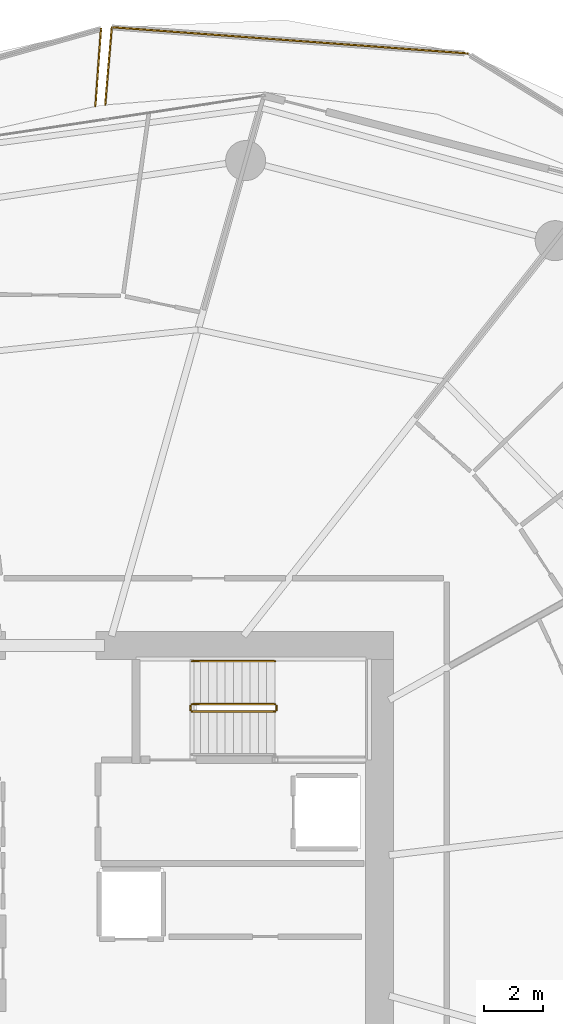
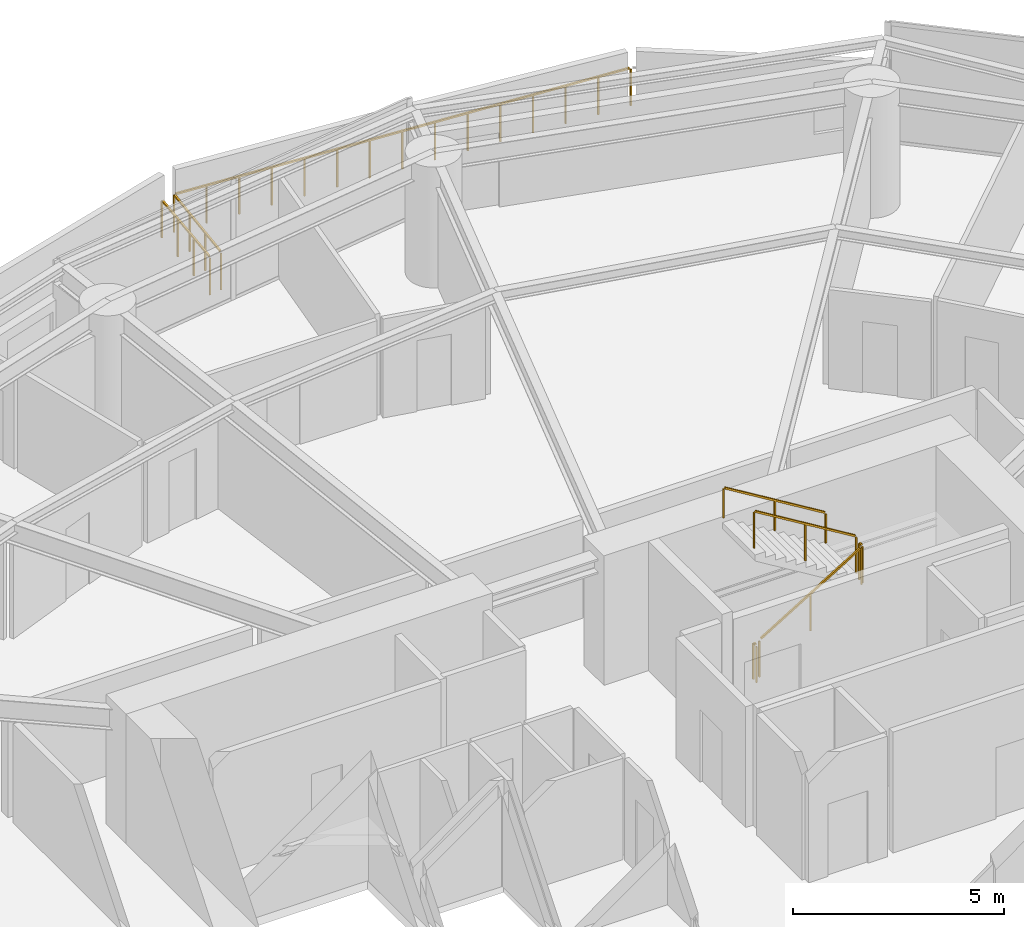
# One storey, part 31 of 32: 8 railings.
"""IFC4 building model written with IfcOpenShell, lengths in metres."""

from ifc_helpers import new_model, si_unit, direction, frame, origin, origin_2d, place, context, subcontext, project, spatial, rectangle, extrude, material, type_object, element, save


model = new_model("IFC4")

# Units and contexts
model_context = context("Model", 3, precision=1e-05, world=origin(), true_north=direction((0.0, 1.0)))
body_context = subcontext(model_context, "Body", "Model", "MODEL_VIEW")
ifc_project = project(units=[si_unit("LENGTHUNIT", "METRE"), si_unit("AREAUNIT", "SQUARE_METRE"), si_unit("VOLUMEUNIT", "CUBIC_METRE"), si_unit("PLANEANGLEUNIT", "RADIAN"), si_unit("MASSUNIT", "GRAM", prefix="KILO")], contexts=[model_context])

# Site, building, storey
site_placement = place(None, origin())
site = spatial("IfcSite", under=ifc_project, at=site_placement, CompositionType="ELEMENT")
building_placement = place(site_placement, origin())
building = spatial("IfcBuilding", under=site, at=building_placement, Name="Kazma Halo Residences", CompositionType="ELEMENT")
storey_placement = place(building_placement, frame((0.0, 0.0, 63.89990234375)))
storey = spatial("IfcBuildingStorey", under=building, at=storey_placement, Name="L15", CompositionType="ELEMENT", Elevation=63.89990234375)

# Railings
ifc_material_1 = material(Name="Aluminium AW-6063 T6 Brushed Cap Rail", Category="aluminium")
railing_type_1 = type_object("IfcRailingType", Name="RLG-BAL-CAP-1120", PredefinedType="BALUSTRADE", material=ifc_material_1)
railing_1_placement = place(storey_placement, frame((62.50439453125, 70.466796875, 0.0)))
element("IfcRailing", 1, at=railing_1_placement, inside=storey, type_object=railing_type_1, Name="L15 NE wave balcony guard 3", PredefinedType="BALUSTRADE", context=body_context, shape_type="SweptSolid", body=[
    extrude(rectangle(XDim=0.050048828125, YDim=0.050048828125, at=origin_2d()), frame((-0.04248046875, 0.003173828125, 1.09521484375), z_axis=(-0.997303634995, 0.073385690876, 0.0), x_axis=(-0.073385690876, -0.997303634995, 0.0)), (0.0, 0.0, 1.0), 11.96142578125),
    extrude(rectangle(XDim=0.0400390625, YDim=0.0400390625, at=origin_2d()), origin(), (0.0, 0.0, 1.0), 1.05810546875),
    extrude(rectangle(XDim=0.0400390625, YDim=0.0400390625, at=origin_2d()), frame((-0.858154296875, 0.063232421875, 0.0)), (0.0, 0.0, 1.0), 1.05810546875),
    extrude(rectangle(XDim=0.0400390625, YDim=0.0400390625, at=origin_2d()), frame((-1.71630859375, 0.126220703125, 0.0)), (0.0, 0.0, 1.0), 1.05810546875),
    extrude(rectangle(XDim=0.0400390625, YDim=0.0400390625, at=origin_2d()), frame((-2.574462890625, 0.189453125, 0.0)), (0.0, 0.0, 1.0), 1.05810546875),
    extrude(rectangle(XDim=0.0400390625, YDim=0.0400390625, at=origin_2d()), frame((-3.4326171875, 0.252685546875, 0.0)), (0.0, 0.0, 1.0), 1.05810546875),
    extrude(rectangle(XDim=0.0400390625, YDim=0.0400390625, at=origin_2d()), frame((-4.290771484375, 0.315673828125, 0.0)), (0.0, 0.0, 1.0), 1.05810546875),
    extrude(rectangle(XDim=0.0400390625, YDim=0.0400390625, at=origin_2d()), frame((-5.14892578125, 0.37890625, 0.0)), (0.0, 0.0, 1.0), 1.05810546875),
    extrude(rectangle(XDim=0.0400390625, YDim=0.0400390625, at=origin_2d()), frame((-6.0068359375, 0.44189453125, 0.0)), (0.0, 0.0, 1.0), 1.05810546875),
    extrude(rectangle(XDim=0.0400390625, YDim=0.0400390625, at=origin_2d()), frame((-6.864990234375, 0.505126953125, 0.0)), (0.0, 0.0, 1.0), 1.05810546875),
    extrude(rectangle(XDim=0.0400390625, YDim=0.0400390625, at=origin_2d()), frame((-7.72314453125, 0.568359375, 0.0)), (0.0, 0.0, 1.0), 1.05810546875),
    extrude(rectangle(XDim=0.0400390625, YDim=0.0400390625, at=origin_2d()), frame((-8.581298828125, 0.63134765625, 0.0)), (0.0, 0.0, 1.0), 1.05810546875),
    extrude(rectangle(XDim=0.0400390625, YDim=0.0400390625, at=origin_2d()), frame((-9.439453125, 0.694580078125, 0.0)), (0.0, 0.0, 1.0), 1.05810546875),
    extrude(rectangle(XDim=0.0400390625, YDim=0.0400390625, at=origin_2d()), frame((-10.297607421875, 0.7578125, 0.0)), (0.0, 0.0, 1.0), 1.05810546875),
    extrude(rectangle(XDim=0.0400390625, YDim=0.0400390625, at=origin_2d()), frame((-11.15576171875, 0.82080078125, 0.0)), (0.0, 0.0, 1.0), 1.05810546875),
    extrude(rectangle(XDim=0.0400390625, YDim=0.0400390625, at=origin_2d()), frame((-12.013916015625, 0.884033203125, 0.0)), (0.0, 0.0, 1.0), 1.05810546875),
])
railing_2_placement = place(storey_placement, frame((50.490478515625, 71.350830078125, 0.0)))
element("IfcRailing", 2, at=railing_2_placement, inside=storey, type_object=railing_type_1, Name="L15 NE wave balcony guard 4", PredefinedType="BALUSTRADE", context=body_context, shape_type="SweptSolid", body=[
    extrude(rectangle(XDim=0.050048828125, YDim=0.050048828125, at=origin_2d()), frame((-0.003662109375, -0.04248046875, 1.09521484375), z_axis=(-0.084550843929, -0.99641916621, 0.0), x_axis=(0.99641916621, -0.084550843929, 0.0)), (0.0, 0.0, 1.0), 2.54541015625),
    extrude(rectangle(XDim=0.0400390625, YDim=0.0400390625, at=origin_2d()), origin(), (0.0, 0.0, 1.0), 1.05810546875),
    extrude(rectangle(XDim=0.0400390625, YDim=0.0400390625, at=origin_2d()), frame((-0.07421875, -0.873779296875, 0.0)), (0.0, 0.0, 1.0), 1.05810546875),
    extrude(rectangle(XDim=0.0400390625, YDim=0.0400390625, at=origin_2d()), frame((-0.148193359375, -1.747314453125, 0.0)), (0.0, 0.0, 1.0), 1.05810546875),
    extrude(rectangle(XDim=0.0400390625, YDim=0.0400390625, at=origin_2d()), frame((-0.222412109375, -2.62109375, 0.0)), (0.0, 0.0, 1.0), 1.05810546875),
])
railing_3_placement = place(storey_placement, frame((49.935791015625, 68.679931640625, 0.0)))
element("IfcRailing", 3, at=railing_3_placement, inside=storey, type_object=railing_type_1, Name="L15 NNW wave balcony guard 1", PredefinedType="BALUSTRADE", context=body_context, shape_type="SweptSolid", body=[
    extrude(rectangle(XDim=0.050048828125, YDim=0.050048828125, at=origin_2d()), frame((0.003173828125, 0.04248046875, 1.09521484375), z_axis=(0.072343971591, 0.997379742011, 0.0), x_axis=(-0.997379742011, 0.072343971591, 0.0)), (0.0, 0.0, 1.0), 2.54052734375),
    extrude(rectangle(XDim=0.0400390625, YDim=0.0400390625, at=origin_2d()), origin(), (0.0, 0.0, 1.0), 1.05810546875),
    extrude(rectangle(XDim=0.0400390625, YDim=0.0400390625, at=origin_2d()), frame((0.063232421875, 0.872802734375, 0.0)), (0.0, 0.0, 1.0), 1.05810546875),
    extrude(rectangle(XDim=0.0400390625, YDim=0.0400390625, at=origin_2d()), frame((0.126708984375, 1.745849609375, 0.0)), (0.0, 0.0, 1.0), 1.05810546875),
    extrude(rectangle(XDim=0.0400390625, YDim=0.0400390625, at=origin_2d()), frame((0.18994140625, 2.61865234375, 0.0)), (0.0, 0.0, 1.0), 1.05810546875),
])
ifc_material_2 = material(Name="Painted Steel S355", Category="steel")
railing_type_2 = type_object("IfcRailingType", Name="RLG-STAIR-GRD-1100", PredefinedType="GUARDRAIL", material=ifc_material_2)
railing_4_placement = place(storey_placement, frame((53.199951171875, 48.25, 0.170654296875)))
element("IfcRailing", 4, at=railing_4_placement, inside=storey, type_object=railing_type_2, Name="L15 ST-02 stair guard 1", PredefinedType="GUARDRAIL", context=body_context, shape_type="SweptSolid", body=[
    extrude(rectangle(XDim=0.050048828125, YDim=0.050048828125, at=origin_2d()), frame((0.036376953125, 0.0, 1.09716796875), z_axis=(0.854202870247, 0.0, 0.519939858505), x_axis=(0.0, 1.0, 0.0)), (0.0, 0.0, 1.0), 3.19287109375),
    extrude(rectangle(XDim=0.0400390625, YDim=0.0400390625, at=origin_2d()), origin(), (0.0, 0.0, 1.0), 1.0380859375),
    extrude(rectangle(XDim=0.0400390625, YDim=0.0400390625, at=origin_2d()), frame((1.39990234375, 0.0, 0.85205078125)), (0.0, 0.0, 1.0), 1.0380859375),
    extrude(rectangle(XDim=0.0400390625, YDim=0.0400390625, at=origin_2d()), frame((2.800048828125, 0.0, 1.704345703125)), (0.0, 0.0, 1.0), 1.0380859375),
])
railing_5_placement = place(storey_placement, frame((56.050048828125, 48.300048828125, 1.875)))
element("IfcRailing", 5, at=railing_5_placement, inside=storey, type_object=railing_type_2, Name="L15 ST-02 stair guard 2", PredefinedType="GUARDRAIL", context=body_context, shape_type="SweptSolid", body=[
    extrude(rectangle(XDim=0.050048828125, YDim=0.050048828125, at=origin_2d()), frame((0.0, 0.04248046875, 1.0751953125), z_axis=(0.0, 1.0, 0.0), x_axis=(-1.0, 0.0, 0.0)), (0.0, 0.0, 1.0), 0.06494140625),
    extrude(rectangle(XDim=0.0400390625, YDim=0.0400390625, at=origin_2d()), origin(), (0.0, 0.0, 1.0), 1.0380859375),
    extrude(rectangle(XDim=0.0400390625, YDim=0.0400390625, at=origin_2d()), frame((0.0, 0.14990234375, 0.0)), (0.0, 0.0, 1.0), 1.0380859375),
])
railing_6_placement = place(storey_placement, frame((56.0, 48.5, 2.045654296875)))
element("IfcRailing", 6, at=railing_6_placement, inside=storey, type_object=railing_type_2, Name="L15 ST-02 stair guard 3", PredefinedType="GUARDRAIL", context=body_context, shape_type="SweptSolid", body=[
    extrude(rectangle(XDim=0.050048828125, YDim=0.050048828125, at=origin_2d()), frame((-0.036376953125, 0.0, 1.09716796875), z_axis=(-0.854202870247, 0.0, 0.519939858505), x_axis=(0.0, -1.0, 0.0)), (0.0, 0.0, 1.0), 3.19287109375),
    extrude(rectangle(XDim=0.0400390625, YDim=0.0400390625, at=origin_2d()), origin(), (0.0, 0.0, 1.0), 1.0380859375),
    extrude(rectangle(XDim=0.0400390625, YDim=0.0400390625, at=origin_2d()), frame((-1.39990234375, 0.0, 0.85205078125)), (0.0, 0.0, 1.0), 1.0380859375),
    extrude(rectangle(XDim=0.0400390625, YDim=0.0400390625, at=origin_2d()), frame((-2.800048828125, 0.0, 1.704345703125)), (0.0, 0.0, 1.0), 1.0380859375),
])
railing_7_placement = place(storey_placement, frame((53.14990234375, 48.300048828125, 0.0)))
element("IfcRailing", 7, at=railing_7_placement, inside=storey, type_object=railing_type_2, Name="L15 ST-02 stair guard 4", PredefinedType="GUARDRAIL", context=body_context, shape_type="SweptSolid", body=[
    extrude(rectangle(XDim=0.050048828125, YDim=0.050048828125, at=origin_2d()), frame((0.0, 0.04248046875, 1.0751953125), z_axis=(0.0, 1.0, 0.0), x_axis=(-1.0, 0.0, 0.0)), (0.0, 0.0, 1.0), 0.06494140625),
    extrude(rectangle(XDim=0.0400390625, YDim=0.0400390625, at=origin_2d()), origin(), (0.0, 0.0, 1.0), 1.0380859375),
    extrude(rectangle(XDim=0.0400390625, YDim=0.0400390625, at=origin_2d()), frame((0.0, 0.14990234375, 0.0)), (0.0, 0.0, 1.0), 1.0380859375),
])
ifc_material_3 = material(Name="Brushed Stainless Steel", Category="steel")
railing_type_3 = type_object("IfcRailingType", Name="RLG-STAIR-HND-900", PredefinedType="HANDRAIL", material=ifc_material_3)
railing_8_placement = place(storey_placement, frame((56.0, 49.949951171875, 2.045654296875)))
element("IfcRailing", 8, at=railing_8_placement, inside=storey, type_object=railing_type_3, Name="L15 ST-02 stair handrail 2", PredefinedType="HANDRAIL", context=body_context, shape_type="SweptSolid", body=[
    extrude(rectangle(XDim=0.050048828125, YDim=0.050048828125, at=origin_2d()), frame((-0.036376953125, 0.0, 0.89697265625), z_axis=(-0.854202870247, 0.0, 0.519939858505), x_axis=(0.0, -1.0, 0.0)), (0.0, 0.0, 1.0), 3.19287109375),
    extrude(rectangle(XDim=0.0400390625, YDim=0.0400390625, at=origin_2d()), origin(), (0.0, 0.0, 1.0), 0.837890625),
    extrude(rectangle(XDim=0.0400390625, YDim=0.0400390625, at=origin_2d()), frame((-1.39990234375, 0.0, 0.85205078125)), (0.0, 0.0, 1.0), 0.837890625),
    extrude(rectangle(XDim=0.0400390625, YDim=0.0400390625, at=origin_2d()), frame((-2.800048828125, 0.0, 1.704345703125)), (0.0, 0.0, 1.0), 0.837890625),
])

save(model, "model.ifc")
